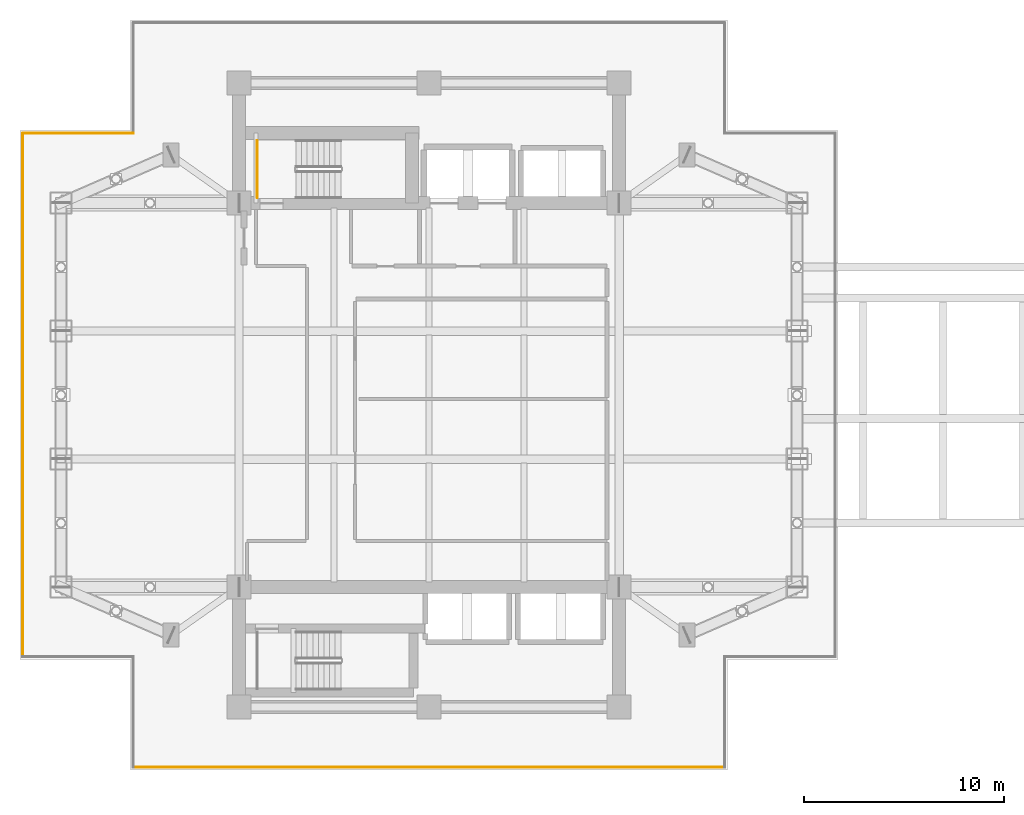
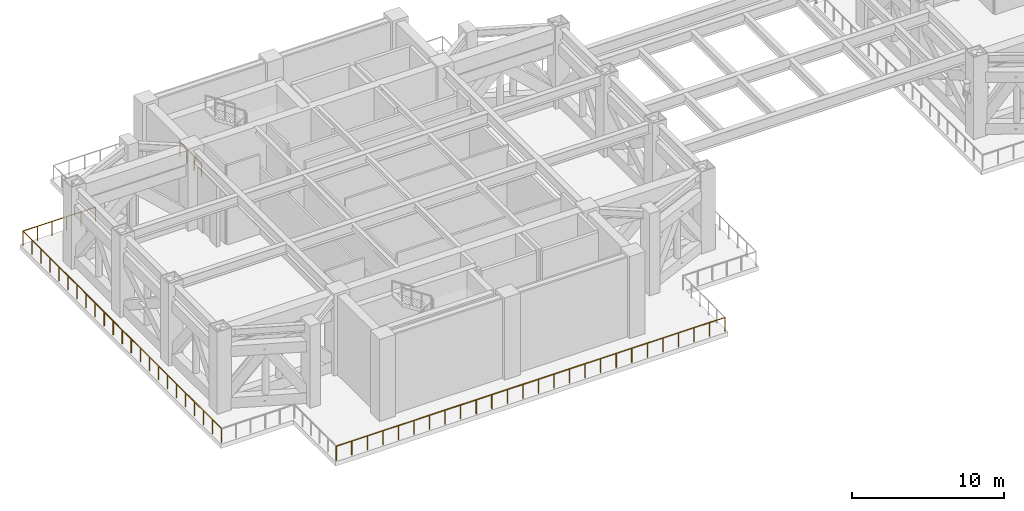
# One storey, part 16 of 21: 4 railings.
"""IFC4 building model written with IfcOpenShell, lengths in metres."""

from ifc_helpers import new_model, si_unit, direction, frame, origin, origin_2d, place, context, subcontext, project, spatial, circle, extrude, material, type_object, element, save


model = new_model("IFC4")

# Units and contexts
model_context = context("Model", 3, precision=1e-05, world=origin(), true_north=direction((0.0, 1.0)))
body_context = subcontext(model_context, "Body", "Model", "MODEL_VIEW")
ifc_project = project(units=[si_unit("LENGTHUNIT", "METRE"), si_unit("AREAUNIT", "SQUARE_METRE"), si_unit("VOLUMEUNIT", "CUBIC_METRE"), si_unit("PLANEANGLEUNIT", "RADIAN"), si_unit("MASSUNIT", "GRAM", prefix="KILO")], contexts=[model_context])

# Site, building, storey
site_placement = place(None, origin())
site = spatial("IfcSite", under=ifc_project, at=site_placement, CompositionType="ELEMENT")
building_placement = place(site_placement, origin())
building = spatial("IfcBuilding", under=site, at=building_placement, Name="Mirazonda Arch Towers", CompositionType="ELEMENT")
storey_placement = place(building_placement, frame((0.0, 0.0, 81.800048828125)))
storey = spatial("IfcBuildingStorey", under=building, at=storey_placement, Name="L23", CompositionType="ELEMENT", Elevation=81.800048828125)

# Railings
ifc_material = material(Name="Architectural Brushed Steel S355", Category="steel")
railing_type_1 = type_object("IfcRailingType", Name="GUARD-EXT-1150", PredefinedType="GUARDRAIL", material=ifc_material)
railing_1_placement = place(storey_placement, frame((5.715087890625, 9.389892578125, 0.0)))
element("IfcRailing", 1, at=railing_1_placement, inside=storey, type_object=railing_type_1, Name="L23 T1 Open Wind-Portal Perimeter Guard 01", PredefinedType="GUARDRAIL", context=body_context, shape_type="SweptSolid", body=[
    extrude(circle(Radius=0.02392578125, at=origin_2d()), frame((0.0, 0.0, 1.1259765625), z_axis=(1.0, 0.0, 0.0), x_axis=(0.0, 1.0, 0.0)), (0.0, 0.0, 1.0), 29.56982421875),
    extrude(circle(Radius=0.02099609375, at=origin_2d()), origin(), (0.0, 0.0, 1.0), 1.101806640625),
    extrude(circle(Radius=0.02099609375, at=origin_2d()), frame((1.182861328125, 0.0, 0.0)), (0.0, 0.0, 1.0), 1.101806640625),
    extrude(circle(Radius=0.02099609375, at=origin_2d()), frame((2.365478515625, 0.0, 0.0)), (0.0, 0.0, 1.0), 1.101806640625),
    extrude(circle(Radius=0.02099609375, at=origin_2d()), frame((3.54833984375, 0.0, 0.0)), (0.0, 0.0, 1.0), 1.101806640625),
    extrude(circle(Radius=0.02099609375, at=origin_2d()), frame((4.731201171875, 0.0, 0.0)), (0.0, 0.0, 1.0), 1.101806640625),
    extrude(circle(Radius=0.02099609375, at=origin_2d()), frame((5.9140625, 0.0, 0.0)), (0.0, 0.0, 1.0), 1.101806640625),
    extrude(circle(Radius=0.02099609375, at=origin_2d()), frame((7.0966796875, 0.0, 0.0)), (0.0, 0.0, 1.0), 1.101806640625),
    extrude(circle(Radius=0.02099609375, at=origin_2d()), frame((8.279541015625, 0.0, 0.0)), (0.0, 0.0, 1.0), 1.101806640625),
    extrude(circle(Radius=0.02099609375, at=origin_2d()), frame((9.46240234375, 0.0, 0.0)), (0.0, 0.0, 1.0), 1.101806640625),
    extrude(circle(Radius=0.02099609375, at=origin_2d()), frame((10.64501953125, 0.0, 0.0)), (0.0, 0.0, 1.0), 1.101806640625),
    extrude(circle(Radius=0.02099609375, at=origin_2d()), frame((11.827880859375, 0.0, 0.0)), (0.0, 0.0, 1.0), 1.101806640625),
    extrude(circle(Radius=0.02099609375, at=origin_2d()), frame((13.0107421875, 0.0, 0.0)), (0.0, 0.0, 1.0), 1.101806640625),
    extrude(circle(Radius=0.02099609375, at=origin_2d()), frame((14.193603515625, 0.0, 0.0)), (0.0, 0.0, 1.0), 1.101806640625),
    extrude(circle(Radius=0.02099609375, at=origin_2d()), frame((15.376220703125, 0.0, 0.0)), (0.0, 0.0, 1.0), 1.101806640625),
    extrude(circle(Radius=0.02099609375, at=origin_2d()), frame((16.55908203125, 0.0, 0.0)), (0.0, 0.0, 1.0), 1.101806640625),
    extrude(circle(Radius=0.02099609375, at=origin_2d()), frame((17.741943359375, 0.0, 0.0)), (0.0, 0.0, 1.0), 1.101806640625),
    extrude(circle(Radius=0.02099609375, at=origin_2d()), frame((18.9248046875, 0.0, 0.0)), (0.0, 0.0, 1.0), 1.101806640625),
    extrude(circle(Radius=0.02099609375, at=origin_2d()), frame((20.107421875, 0.0, 0.0)), (0.0, 0.0, 1.0), 1.101806640625),
    extrude(circle(Radius=0.02099609375, at=origin_2d()), frame((21.290283203125, 0.0, 0.0)), (0.0, 0.0, 1.0), 1.101806640625),
    extrude(circle(Radius=0.02099609375, at=origin_2d()), frame((22.47314453125, 0.0, 0.0)), (0.0, 0.0, 1.0), 1.101806640625),
    extrude(circle(Radius=0.02099609375, at=origin_2d()), frame((23.65576171875, 0.0, 0.0)), (0.0, 0.0, 1.0), 1.101806640625),
    extrude(circle(Radius=0.02099609375, at=origin_2d()), frame((24.838623046875, 0.0, 0.0)), (0.0, 0.0, 1.0), 1.101806640625),
    extrude(circle(Radius=0.02099609375, at=origin_2d()), frame((26.021484375, 0.0, 0.0)), (0.0, 0.0, 1.0), 1.101806640625),
    extrude(circle(Radius=0.02099609375, at=origin_2d()), frame((27.204345703125, 0.0, 0.0)), (0.0, 0.0, 1.0), 1.101806640625),
    extrude(circle(Radius=0.02099609375, at=origin_2d()), frame((28.386962890625, 0.0, 0.0)), (0.0, 0.0, 1.0), 1.101806640625),
    extrude(circle(Radius=0.02099609375, at=origin_2d()), frame((29.56982421875, 0.0, 0.0)), (0.0, 0.0, 1.0), 1.101806640625),
])
railing_2_placement = place(storey_placement, frame((5.715087890625, 41.0849609375, 0.0)))
element("IfcRailing", 2, at=railing_2_placement, inside=storey, type_object=railing_type_1, Name="L23 T1 Open Wind-Portal Perimeter Guard 09", PredefinedType="GUARDRAIL", context=body_context, shape_type="SweptSolid", body=[
    extrude(circle(Radius=0.02392578125, at=origin_2d()), frame((0.0, 0.0, 1.1259765625), z_axis=(-1.0, 0.0, 0.0), x_axis=(0.0, -1.0, 0.0)), (0.0, 0.0, 1.0), 5.525146484375),
    extrude(circle(Radius=0.02099609375, at=origin_2d()), origin(), (0.0, 0.0, 1.0), 1.101806640625),
    extrude(circle(Radius=0.02099609375, at=origin_2d()), frame((-1.10498046875, 0.0, 0.0)), (0.0, 0.0, 1.0), 1.101806640625),
    extrude(circle(Radius=0.02099609375, at=origin_2d()), frame((-2.2099609375, 0.0, 0.0)), (0.0, 0.0, 1.0), 1.101806640625),
    extrude(circle(Radius=0.02099609375, at=origin_2d()), frame((-3.315185546875, 0.0, 0.0)), (0.0, 0.0, 1.0), 1.101806640625),
    extrude(circle(Radius=0.02099609375, at=origin_2d()), frame((-4.420166015625, 0.0, 0.0)), (0.0, 0.0, 1.0), 1.101806640625),
    extrude(circle(Radius=0.02099609375, at=origin_2d()), frame((-5.525146484375, 0.0, 0.0)), (0.0, 0.0, 1.0), 1.101806640625),
])
railing_3_placement = place(storey_placement, frame((0.18994140625, 41.0849609375, 0.0)))
element("IfcRailing", 3, at=railing_3_placement, inside=storey, type_object=railing_type_1, Name="L23 T1 Open Wind-Portal Perimeter Guard 10", PredefinedType="GUARDRAIL", context=body_context, shape_type="SweptSolid", body=[
    extrude(circle(Radius=0.02392578125, at=origin_2d()), frame((0.0, 0.0, 1.1259765625), z_axis=(0.0, -1.0, 0.0), x_axis=(1.0, 0.0, 0.0)), (0.0, 0.0, 1.0), 26.169921875),
    extrude(circle(Radius=0.02099609375, at=origin_2d()), origin(), (0.0, 0.0, 1.0), 1.101806640625),
    extrude(circle(Radius=0.02099609375, at=origin_2d()), frame((0.0, -1.189453125, 0.0)), (0.0, 0.0, 1.0), 1.101806640625),
    extrude(circle(Radius=0.02099609375, at=origin_2d()), frame((0.0, -2.379150390625, 0.0)), (0.0, 0.0, 1.0), 1.101806640625),
    extrude(circle(Radius=0.02099609375, at=origin_2d()), frame((0.0, -3.568603515625, 0.0)), (0.0, 0.0, 1.0), 1.101806640625),
    extrude(circle(Radius=0.02099609375, at=origin_2d()), frame((0.0, -4.758056640625, 0.0)), (0.0, 0.0, 1.0), 1.101806640625),
    extrude(circle(Radius=0.02099609375, at=origin_2d()), frame((0.0, -5.94775390625, 0.0)), (0.0, 0.0, 1.0), 1.101806640625),
    extrude(circle(Radius=0.02099609375, at=origin_2d()), frame((0.0, -7.13720703125, 0.0)), (0.0, 0.0, 1.0), 1.101806640625),
    extrude(circle(Radius=0.02099609375, at=origin_2d()), frame((0.0, -8.326904296875, 0.0)), (0.0, 0.0, 1.0), 1.101806640625),
    extrude(circle(Radius=0.02099609375, at=origin_2d()), frame((0.0, -9.516357421875, 0.0)), (0.0, 0.0, 1.0), 1.101806640625),
    extrude(circle(Radius=0.02099609375, at=origin_2d()), frame((0.0, -10.705810546875, 0.0)), (0.0, 0.0, 1.0), 1.101806640625),
    extrude(circle(Radius=0.02099609375, at=origin_2d()), frame((0.0, -11.8955078125, 0.0)), (0.0, 0.0, 1.0), 1.101806640625),
    extrude(circle(Radius=0.02099609375, at=origin_2d()), frame((0.0, -13.0849609375, 0.0)), (0.0, 0.0, 1.0), 1.101806640625),
    extrude(circle(Radius=0.02099609375, at=origin_2d()), frame((0.0, -14.2744140625, 0.0)), (0.0, 0.0, 1.0), 1.101806640625),
    extrude(circle(Radius=0.02099609375, at=origin_2d()), frame((0.0, -15.464111328125, 0.0)), (0.0, 0.0, 1.0), 1.101806640625),
    extrude(circle(Radius=0.02099609375, at=origin_2d()), frame((0.0, -16.653564453125, 0.0)), (0.0, 0.0, 1.0), 1.101806640625),
    extrude(circle(Radius=0.02099609375, at=origin_2d()), frame((0.0, -17.843017578125, 0.0)), (0.0, 0.0, 1.0), 1.101806640625),
    extrude(circle(Radius=0.02099609375, at=origin_2d()), frame((0.0, -19.03271484375, 0.0)), (0.0, 0.0, 1.0), 1.101806640625),
    extrude(circle(Radius=0.02099609375, at=origin_2d()), frame((0.0, -20.22216796875, 0.0)), (0.0, 0.0, 1.0), 1.101806640625),
    extrude(circle(Radius=0.02099609375, at=origin_2d()), frame((0.0, -21.411865234375, 0.0)), (0.0, 0.0, 1.0), 1.101806640625),
    extrude(circle(Radius=0.02099609375, at=origin_2d()), frame((0.0, -22.601318359375, 0.0)), (0.0, 0.0, 1.0), 1.101806640625),
    extrude(circle(Radius=0.02099609375, at=origin_2d()), frame((0.0, -23.790771484375, 0.0)), (0.0, 0.0, 1.0), 1.101806640625),
    extrude(circle(Radius=0.02099609375, at=origin_2d()), frame((0.0, -24.98046875, 0.0)), (0.0, 0.0, 1.0), 1.101806640625),
    extrude(circle(Radius=0.02099609375, at=origin_2d()), frame((0.0, -26.169921875, 0.0)), (0.0, 0.0, 1.0), 1.101806640625),
])
railing_type_2 = type_object("IfcRailingType", Name="GUARD-STAIR-1120", PredefinedType="GUARDRAIL", material=ifc_material)
railing_4_placement = place(storey_placement, frame((11.909912109375, 37.8701171875, 3.300048828125)))
element("IfcRailing", 4, at=railing_4_placement, inside=storey, type_object=railing_type_2, Name="L23 ST-T1N stair guard 9", PredefinedType="GUARDRAIL", context=body_context, shape_type="SweptSolid", body=[
    extrude(circle(Radius=0.02392578125, at=origin_2d()), frame((0.0, 0.0, 1.1259765625), z_axis=(0.0, 1.0, 0.0), x_axis=(-1.0, 0.0, 0.0)), (0.0, 0.0, 1.0), 2.83984375),
    extrude(circle(Radius=0.02099609375, at=origin_2d()), origin(), (0.0, 0.0, 1.0), 1.101806640625),
    extrude(circle(Radius=0.02099609375, at=origin_2d()), frame((0.0, 0.946533203125, 0.0)), (0.0, 0.0, 1.0), 1.101806640625),
    extrude(circle(Radius=0.02099609375, at=origin_2d()), frame((0.0, 1.893310546875, 0.0)), (0.0, 0.0, 1.0), 1.101806640625),
    extrude(circle(Radius=0.02099609375, at=origin_2d()), frame((0.0, 2.83984375, 0.0)), (0.0, 0.0, 1.0), 1.101806640625),
])

save(model, "model.ifc")
